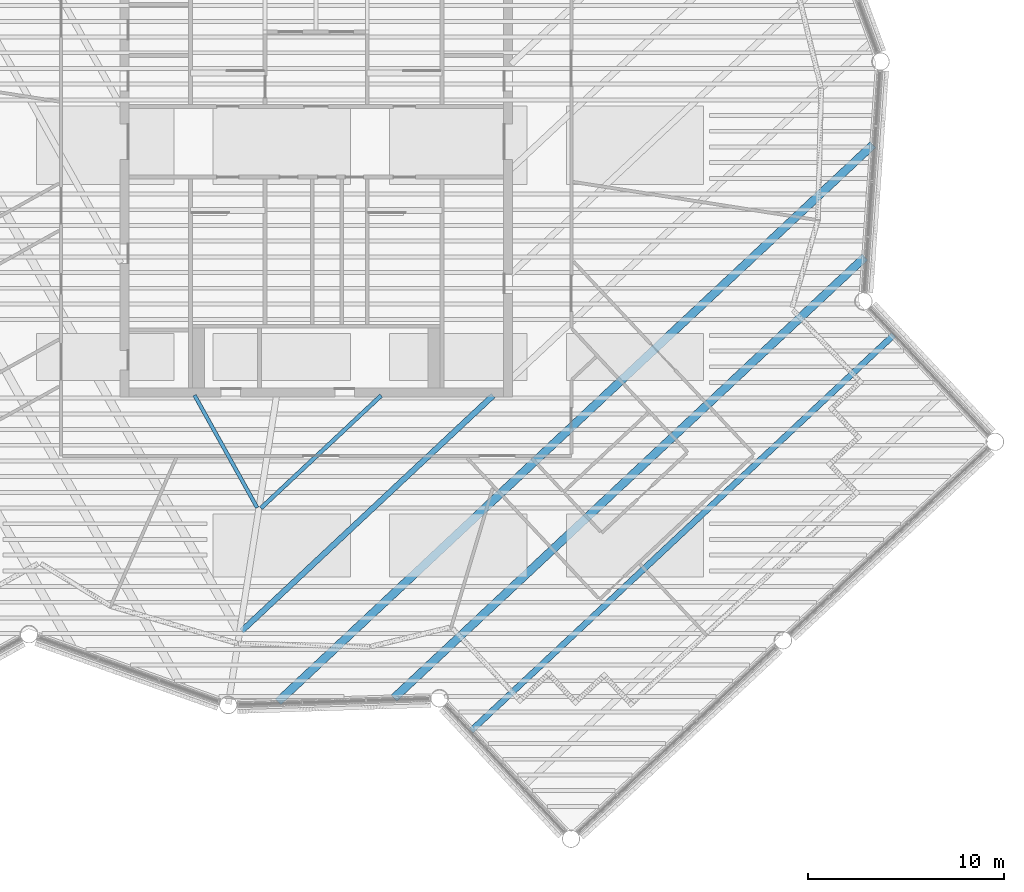
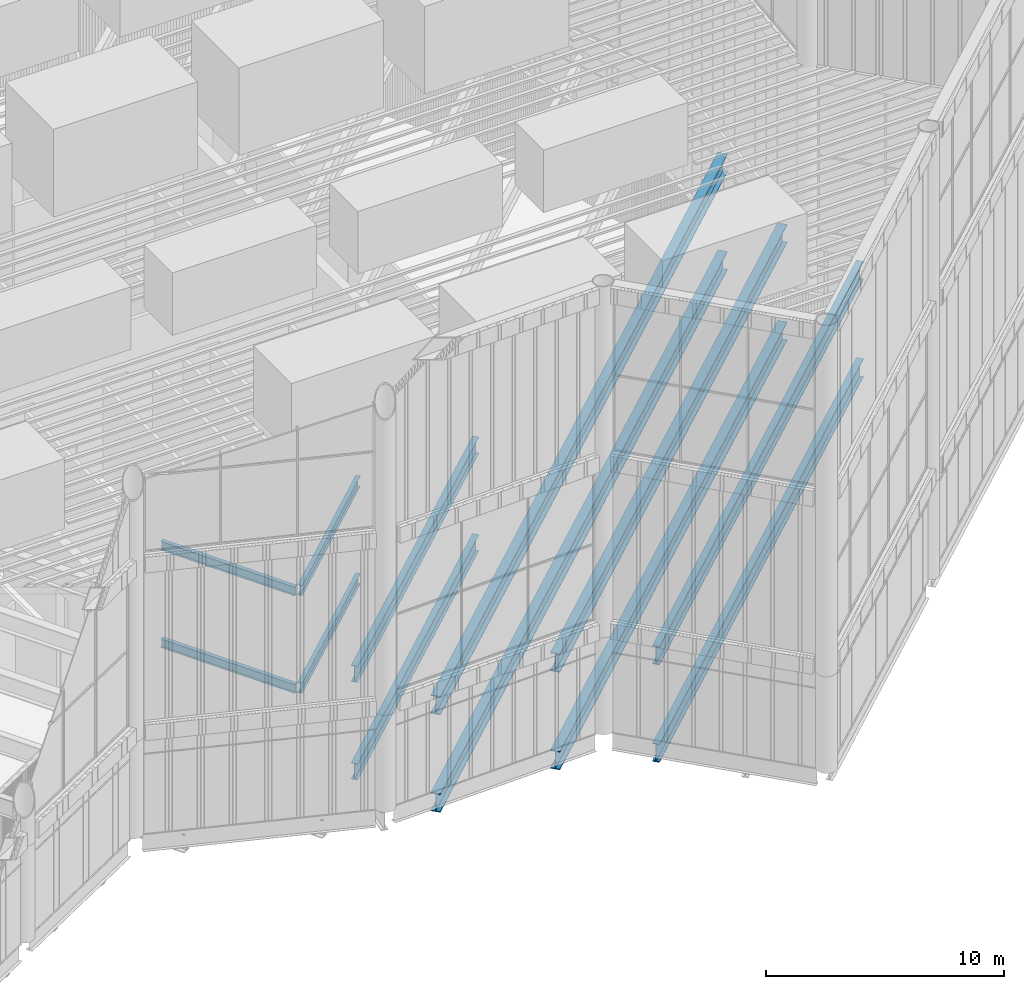
# One storey, part 35 of 117: 12 beams.
"""IFC4 building model written with IfcOpenShell, lengths in metres."""

from ifc_helpers import new_model, si_unit, direction, frame, origin, origin_2d, place, context, subcontext, project, spatial, i_section, extrude, material, material_profile, profile_set, type_object, element, save


model = new_model("IFC4")

# Units and contexts
model_context = context("Model", 3, precision=1e-05, world=origin(), true_north=direction((0.0, 1.0)))
body_context = subcontext(model_context, "Body", "Model", "MODEL_VIEW")
ifc_project = project(units=[si_unit("LENGTHUNIT", "METRE"), si_unit("AREAUNIT", "SQUARE_METRE"), si_unit("VOLUMEUNIT", "CUBIC_METRE"), si_unit("PLANEANGLEUNIT", "RADIAN"), si_unit("MASSUNIT", "GRAM", prefix="KILO")], contexts=[model_context])

# Site, building, storey
site_placement = place(None, origin())
site = spatial("IfcSite", under=ifc_project, at=site_placement, CompositionType="ELEMENT")
building_placement = place(site_placement, origin())
building = spatial("IfcBuilding", under=site, at=building_placement, Name="Tarsis Ring Headquarters", CompositionType="ELEMENT")
storey_placement = place(building_placement, frame((0.0, 0.0, 403.60009765625)))
storey = spatial("IfcBuildingStorey", under=building, at=storey_placement, Name="L95", CompositionType="ELEMENT", Elevation=403.60009765625)

# Beams
ifc_material = material(Name="Structural steel S355", Category="steel")
ifc_material_profile_1 = material_profile(ifc_material, i_section(OverallWidth=0.1904296875, OverallDepth=0.457275390625, WebThickness=0.009033203125, FlangeThickness=0.014404296875, at=origin_2d()), Name="W18x50")
ifc_profile_set_1 = profile_set([ifc_material_profile_1], Name="Structural steel S355")
beam_type_1 = type_object("IfcBeamType", Name="FB Floor beam W18x50", PredefinedType="JOIST", material=ifc_profile_set_1)
for number, where, z_axis, x_axis, name in (
    (1, (-6.199951171875, -12.91259765625, -0.52880859375), (0.486663209567, -0.873589675107, 0.0), (0.873589675107, 0.486663209567, 0.0), "Floor beam FB2"),
    (2, (-6.199951171875, -12.91259765625, 4.47119140625), (0.486663209567, -0.873589675107, 0.0), (0.873589675107, 0.486663209567, 0.0), "Floor beam FB2"),
):
    element("IfcBeam", number, at=place(storey_placement, frame(where, z_axis=z_axis, x_axis=x_axis)), inside=storey, type_object=beam_type_1, Name=name, PredefinedType="JOIST", context=body_context, shape_type="SweptSolid", body=[
        extrude(i_section(OverallWidth=0.1904296875, OverallDepth=0.457275390625, WebThickness=0.009033203125, FlangeThickness=0.014404296875, at=origin_2d()), origin(), (0.0, 0.0, 1.0), 6.560302734375),
    ])
ifc_material_profile_2 = material_profile(ifc_material, i_section(OverallWidth=0.209228515625, OverallDepth=0.533447265625, WebThickness=0.01025390625, FlangeThickness=0.015625, at=origin_2d()), Name="W21x62")
ifc_profile_set_2 = profile_set([ifc_material_profile_2], Name="Structural steel S355")
beam_type_2 = type_object("IfcBeamType", Name="FB Floor beam W21x62", PredefinedType="JOIST", material=ifc_profile_set_2)
for number, where, z_axis, x_axis, name in (
    (3, (-2.82275390625, -18.672607421875, -0.56689453125), (0.729908761627, 0.683544585012, 0.0), (-0.683544585012, 0.729908761627, 0.0), "Floor beam FB3"),
    (4, (-2.82275390625, -18.672607421875, 4.43310546875), (0.729908761627, 0.683544585012, 0.0), (-0.683544585012, 0.729908761627, 0.0), "Floor beam FB3"),
):
    element("IfcBeam", number, at=place(storey_placement, frame(where, z_axis=z_axis, x_axis=x_axis)), inside=storey, type_object=beam_type_2, Name=name, PredefinedType="JOIST", context=body_context, shape_type="SweptSolid", body=[
        extrude(i_section(OverallWidth=0.209228515625, OverallDepth=0.533447265625, WebThickness=0.01025390625, FlangeThickness=0.015625, at=origin_2d()), origin(), (0.0, 0.0, 1.0), 8.39892578125),
    ])
ifc_material_profile_3 = material_profile(ifc_material, i_section(OverallWidth=0.2919921875, OverallDepth=0.835693359375, WebThickness=0.013916015625, FlangeThickness=0.018798828125, at=origin_2d()), Name="W33x118")
ifc_profile_set_3 = profile_set([ifc_material_profile_3], Name="Structural steel S355")
beam_type_3 = type_object("IfcBeamType", Name="FB Floor beam W33x118", PredefinedType="JOIST", material=ifc_profile_set_3)
for number, where, z_axis, x_axis, name in (
    (5, (-3.80078125, -24.93115234375, -0.718017578125), (0.729929569835, 0.683522364726, 0.0), (-0.683522364726, 0.729929569835, 0.0), "Floor beam FB7"),
    (6, (-3.80078125, -24.93115234375, 4.281982421875), (0.729929569835, 0.683522364726, 0.0), (-0.683522364726, 0.729929569835, 0.0), "Floor beam FB7"),
):
    element("IfcBeam", number, at=place(storey_placement, frame(where, z_axis=z_axis, x_axis=x_axis)), inside=storey, type_object=beam_type_3, Name=name, PredefinedType="JOIST", context=body_context, shape_type="SweptSolid", body=[
        extrude(i_section(OverallWidth=0.2919921875, OverallDepth=0.835693359375, WebThickness=0.013916015625, FlangeThickness=0.018798828125, at=origin_2d()), origin(), (0.0, 0.0, 1.0), 17.555419921875),
    ])
ifc_material_profile_4 = material_profile(ifc_material, i_section(OverallWidth=0.309814453125, OverallDepth=0.949951171875, WebThickness=0.0244140625, FlangeThickness=0.0439453125, at=origin_2d()), Name="W36x256")
ifc_profile_set_4 = profile_set([ifc_material_profile_4], Name="Structural steel S355")
beam_type_4 = type_object("IfcBeamType", Name="FB Floor beam W36x256", PredefinedType="JOIST", material=ifc_profile_set_4)
for number, where, z_axis, x_axis, name in (
    (7, (7.895751953125, -30.00732421875, -0.775146484375), (0.729923245983, 0.683529117868, 0.0), (-0.683529117868, 0.729923245983, 0.0), "Floor beam FB11"),
    (8, (7.895751953125, -30.00732421875, 4.224853515625), (0.729923245983, 0.683529117868, 0.0), (-0.683529117868, 0.729923245983, 0.0), "Floor beam FB11"),
):
    element("IfcBeam", number, at=place(storey_placement, frame(where, z_axis=z_axis, x_axis=x_axis)), inside=storey, type_object=beam_type_4, Name=name, PredefinedType="JOIST", context=body_context, shape_type="SweptSolid", body=[
        extrude(i_section(OverallWidth=0.309814453125, OverallDepth=0.949951171875, WebThickness=0.0244140625, FlangeThickness=0.0439453125, at=origin_2d()), origin(), (0.0, 0.0, 1.0), 29.495361328125),
    ])
ifc_material_profile_5 = material_profile(ifc_material, i_section(OverallWidth=0.42431640625, OverallDepth=0.947509765625, WebThickness=0.02392578125, FlangeThickness=0.042724609375, at=origin_2d()), Name="W36x302")
ifc_profile_set_5 = profile_set([ifc_material_profile_5], Name="Structural steel S355")
beam_type_5 = type_object("IfcBeamType", Name="FB Floor beam W36x302", PredefinedType="JOIST", material=ifc_profile_set_5)
beam_1_placement = place(storey_placement, frame((-1.942138671875, -28.53369140625, -0.773681640625), z_axis=(0.729925543082, 0.683526664847, 0.0), x_axis=(-0.683526664847, 0.729925543082, 0.0)))
element("IfcBeam", 9, at=beam_1_placement, inside=storey, type_object=beam_type_5, Name="Floor beam FB12", PredefinedType="JOIST", context=body_context, shape_type="SweptSolid", body=[
    extrude(i_section(OverallWidth=0.42431640625, OverallDepth=0.947509765625, WebThickness=0.02392578125, FlangeThickness=0.042724609375, at=origin_2d()), origin(), (0.0, 0.0, 1.0), 41.53125),
])
beam_2_placement = place(storey_placement, frame((3.962158203125, -28.34765625, -0.773681640625), z_axis=(0.729927683292, 0.683524379349, 0.0), x_axis=(-0.683524379349, 0.729927683292, 0.0)))
element("IfcBeam", 10, at=beam_2_placement, inside=storey, type_object=beam_type_5, Name="Floor beam FB12", PredefinedType="JOIST", context=body_context, shape_type="SweptSolid", body=[
    extrude(i_section(OverallWidth=0.42431640625, OverallDepth=0.947509765625, WebThickness=0.02392578125, FlangeThickness=0.042724609375, at=origin_2d()), origin(), (0.0, 0.0, 1.0), 32.883056640625),
])
beam_3_placement = place(storey_placement, frame((-1.942138671875, -28.53369140625, 4.226318359375), z_axis=(0.729925543082, 0.683526664847, 0.0), x_axis=(-0.683526664847, 0.729925543082, 0.0)))
element("IfcBeam", 11, at=beam_3_placement, inside=storey, type_object=beam_type_5, Name="Floor beam FB12", PredefinedType="JOIST", context=body_context, shape_type="SweptSolid", body=[
    extrude(i_section(OverallWidth=0.42431640625, OverallDepth=0.947509765625, WebThickness=0.02392578125, FlangeThickness=0.042724609375, at=origin_2d()), origin(), (0.0, 0.0, 1.0), 41.53125),
])
beam_4_placement = place(storey_placement, frame((3.962158203125, -28.34765625, 4.226318359375), z_axis=(0.729927683292, 0.683524379349, 0.0), x_axis=(-0.683524379349, 0.729927683292, 0.0)))
element("IfcBeam", 12, at=beam_4_placement, inside=storey, type_object=beam_type_5, Name="Floor beam FB12", PredefinedType="JOIST", context=body_context, shape_type="SweptSolid", body=[
    extrude(i_section(OverallWidth=0.42431640625, OverallDepth=0.947509765625, WebThickness=0.02392578125, FlangeThickness=0.042724609375, at=origin_2d()), origin(), (0.0, 0.0, 1.0), 32.883056640625),
])

save(model, "model.ifc")
